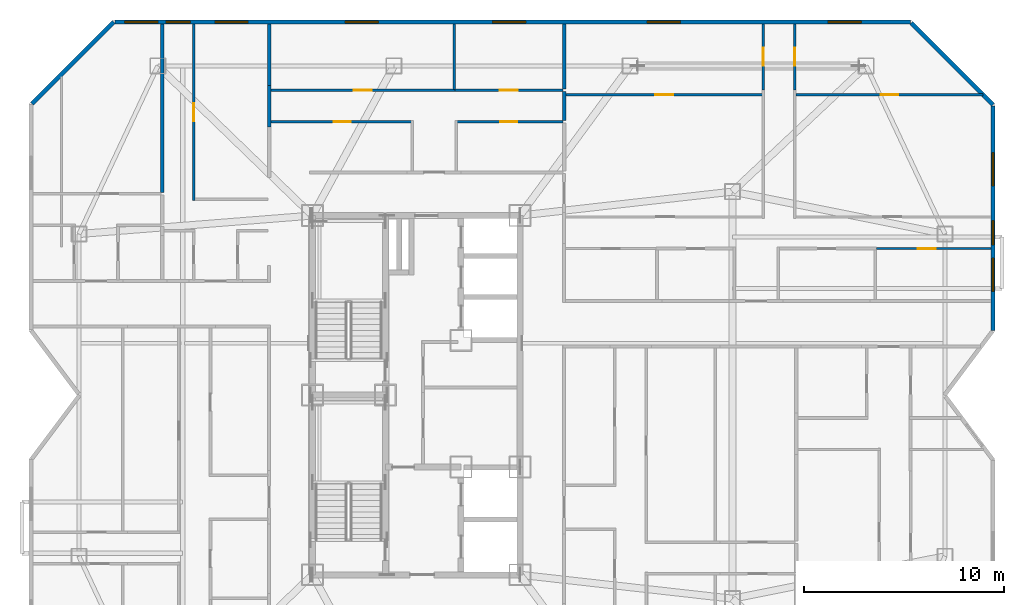
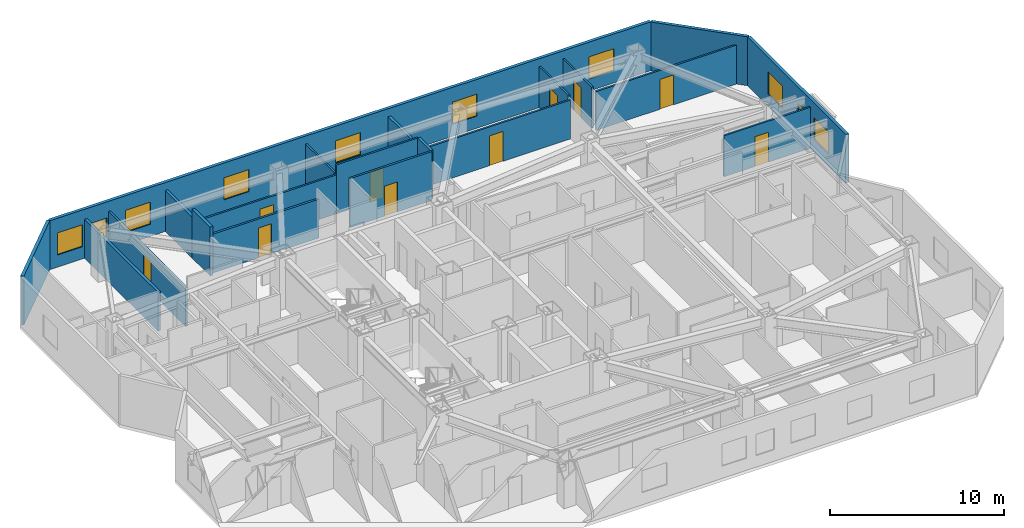
# One storey, part 10 of 12: 20 walls, 10 doors, 10 windows, 20 openings.
"""IFC4 building model written with IfcOpenShell, lengths in metres."""

from ifc_helpers import new_model, si_unit, direction, frame, frame_2d, origin, place, context, subcontext, project, spatial, rectangle, extrude, material, layer, layer_set, type_object, element, fill, save


model = new_model("IFC4")

# Units and contexts
model_context = context("Model", 3, precision=1e-05, world=origin(), true_north=direction((0.0, 1.0)))
body_context = subcontext(model_context, "Body", "Model", "MODEL_VIEW")
ifc_project = project(units=[si_unit("LENGTHUNIT", "METRE"), si_unit("AREAUNIT", "SQUARE_METRE"), si_unit("VOLUMEUNIT", "CUBIC_METRE"), si_unit("PLANEANGLEUNIT", "RADIAN"), si_unit("MASSUNIT", "GRAM", prefix="KILO")], contexts=[model_context])

# Site, building, storey
site_placement = place(None, origin())
site = spatial("IfcSite", under=ifc_project, at=site_placement, CompositionType="ELEMENT")
building_placement = place(site_placement, origin())
building = spatial("IfcBuilding", under=site, at=building_placement, Name="Khamvora Tower", CompositionType="ELEMENT")
storey_placement = place(building_placement, frame((0.0, 0.0, 199.699951171875)))
storey = spatial("IfcBuildingStorey", under=building, at=storey_placement, Name="L51", CompositionType="ELEMENT", Elevation=199.699951171875)

# Walls
ifc_material_1 = material(Name="Acoustic Double-Stud Fire Wall", Category="gypsum")
ifc_layer_1 = layer(ifc_material_1, 0.179931640625)
ifc_layer_set_1 = layer_set([ifc_layer_1], Name="Acoustic Double-Stud Fire Wall")
wall_type_1 = type_object("IfcWallType", Name="WAL-CORR-180", PredefinedType="STANDARD", material=ifc_layer_set_1)
wall_1_placement = place(storey_placement, frame((21.47509765625, 46.60791015625, 0.0), z_axis=(0.0, 0.0, 1.0), x_axis=(0.0, -1.0, 0.0)))
element("IfcWall", 1, at=wall_1_placement, inside=storey, type_object=wall_type_1, Name="L51 interior partition wall 070", PredefinedType="STANDARD", context=body_context, shape_type="SweptSolid", body=[
    extrude(rectangle(XDim=8.453857421875, YDim=0.179931640625, at=frame_2d((4.22705078125, 0.0))), origin(), (0.0, 0.0, 1.0), 2.72509765625),
])
wall_2_placement = place(storey_placement, frame((26.8349609375, 43.52392578125, 0.0), z_axis=(0.0, 0.0, 1.0), x_axis=(0.0, -1.0, 0.0)))
element("IfcWall", 2, at=wall_2_placement, inside=storey, type_object=wall_type_1, Name="L51 interior partition wall 077", PredefinedType="STANDARD", context=body_context, shape_type="SweptSolid", body=[
    extrude(rectangle(XDim=2.077880859375, YDim=0.179931640625, at=frame_2d((1.0390625, 0.0))), origin(), (0.0, 0.0, 1.0), 3.429931640625),
])
wall_3_placement = place(storey_placement, frame((26.8349609375, 46.60791015625, 0.0), z_axis=(0.0, 0.0, 1.0), x_axis=(0.0, -1.0, 0.0)))
element("IfcWall", 3, at=wall_3_placement, inside=storey, type_object=wall_type_1, Name="L51 interior partition wall 079", PredefinedType="STANDARD", context=body_context, shape_type="SweptSolid", body=[
    extrude(rectangle(XDim=3.083984375, YDim=0.179931640625, at=frame_2d((1.5419921875, 0.0))), origin(), (0.0, 0.0, 1.0), 2.8759765625),
])
wall_4_placement = place(storey_placement, frame((41.614990234375, 43.2099609375, 0.0), z_axis=(0.0, 0.0, 1.0), x_axis=(0.0, -1.0, 0.0)))
element("IfcWall", 4, at=wall_4_placement, inside=storey, type_object=wall_type_1, Name="L51 interior partition wall 096", PredefinedType="STANDARD", context=body_context, shape_type="SweptSolid", body=[
    extrude(rectangle(XDim=1.449951171875, YDim=0.179931640625, at=frame_2d((0.72509765625, 0.0))), origin(), (0.0, 0.0, 1.0), 3.429931640625),
])
wall_5_placement = place(storey_placement, frame((41.614990234375, 46.60791015625, 0.0), z_axis=(0.0, 0.0, 1.0), x_axis=(0.0, -1.0, 0.0)))
element("IfcWall", 5, at=wall_5_placement, inside=storey, type_object=wall_type_1, Name="L51 interior partition wall 099", PredefinedType="STANDARD", context=body_context, shape_type="SweptSolid", body=[
    extrude(rectangle(XDim=3.267822265625, YDim=0.179931640625, at=frame_2d((1.6337890625, 0.0))), origin(), (0.0, 0.0, 1.0), 2.8759765625),
])
ifc_material_2 = material(Name="Precast concrete C40/50", Category="concrete")
ifc_layer_2 = layer(ifc_material_2, 0.199951171875)
ifc_layer_set_2 = layer_set([ifc_layer_2], Name="Precast concrete C40/50")
wall_type_2 = type_object("IfcWallType", Name="WAL-EXT-200", PredefinedType="STANDARD", material=ifc_layer_set_2)
wall_6_placement = place(storey_placement, frame((14.945068359375, 42.60400390625, 0.0), z_axis=(0.0, 0.0, 1.0), x_axis=(0.707106781187, 0.707106781187, 0.0)))
element("IfcWall", 6, at=wall_6_placement, inside=storey, type_object=wall_type_2, Name="L51 exterior facade wall 06.1", PredefinedType="STANDARD", context=body_context, shape_type="SweptSolid", body=[
    extrude(rectangle(XDim=5.79248046875, YDim=0.199951171875, at=frame_2d((2.896240234375, 0.0))), origin(), (0.0, 0.0, 1.0), 3.429931640625),
])

# Wall, openings, windows
wall_7_placement = place(storey_placement, frame((19.10205078125, 46.699951171875, 0.0), z_axis=(0.0, 0.0, 1.0), x_axis=(1.0, 0.0, 0.0)))
wall_7 = element("IfcWall", 7, at=wall_7_placement, inside=storey, type_object=wall_type_2, Name="L51 exterior facade wall 07.1", PredefinedType="STANDARD", context=body_context, shape_type="SweptSolid", body=[
    extrude(rectangle(XDim=39.85693359375, YDim=0.199951171875, at=frame_2d((19.928466796875, 0.0))), origin(), (0.0, 0.0, 1.0), 3.429931640625),
])
opening_1_placement = place(wall_7_placement, frame((0.50390625, 0.0, 0.85009765625)))
opening_1 = element("IfcOpeningElement", 8, at=opening_1_placement, cuts=wall_7, Name="Opening WN-06", PredefinedType="OPENING", context=body_context, shape_type="SweptSolid", body=[
    extrude(rectangle(XDim=1.64990234375, YDim=1.550048828125, at=frame_2d((0.824951171875, 0.77490234375))), frame((0.0, 0.10986328125, 0.0), z_axis=(0.0, -1.0, 0.0), x_axis=(1.0, 0.0, 0.0)), (0.0, 0.0, 1.0), 0.219970703125),
])
opening_2_placement = place(wall_7_placement, frame((2.56298828125, 0.0, 0.800048828125)))
opening_2 = element("IfcOpeningElement", 9, at=opening_2_placement, cuts=wall_7, Name="Opening WN-03", PredefinedType="OPENING", context=body_context, shape_type="SweptSolid", body=[
    extrude(rectangle(XDim=1.199951171875, YDim=1.5, at=frame_2d((0.60009765625, 0.75))), frame((0.0, 0.10986328125, 0.0), z_axis=(0.0, -1.0, 0.0), x_axis=(1.0, 0.0, 0.0)), (0.0, 0.0, 1.0), 0.219970703125),
])
opening_3_placement = place(wall_7_placement, frame((5.01806640625, 0.0, 0.85009765625)))
opening_3 = element("IfcOpeningElement", 10, at=opening_3_placement, cuts=wall_7, Name="Opening WN-06", PredefinedType="OPENING", context=body_context, shape_type="SweptSolid", body=[
    extrude(rectangle(XDim=1.64990234375, YDim=1.550048828125, at=frame_2d((0.824951171875, 0.77490234375))), frame((0.0, 0.10986328125, 0.0), z_axis=(0.0, -1.0, 0.0), x_axis=(1.0, 0.0, 0.0)), (0.0, 0.0, 1.0), 0.219970703125),
])
opening_4_placement = place(wall_7_placement, frame((11.5419921875, 0.0, 0.85009765625)))
opening_4 = element("IfcOpeningElement", 11, at=opening_4_placement, cuts=wall_7, Name="Opening WN-06", PredefinedType="OPENING", context=body_context, shape_type="SweptSolid", body=[
    extrude(rectangle(XDim=1.64990234375, YDim=1.550048828125, at=frame_2d((0.824951171875, 0.77490234375))), frame((0.0, 0.10986328125, 0.0), z_axis=(0.0, -1.0, 0.0), x_axis=(1.0, 0.0, 0.0)), (0.0, 0.0, 1.0), 0.219970703125),
])
opening_5_placement = place(wall_7_placement, frame((18.931884765625, 0.0, 0.85009765625)))
opening_5 = element("IfcOpeningElement", 12, at=opening_5_placement, cuts=wall_7, Name="Opening WN-06", PredefinedType="OPENING", context=body_context, shape_type="SweptSolid", body=[
    extrude(rectangle(XDim=1.64990234375, YDim=1.550048828125, at=frame_2d((0.824951171875, 0.77490234375))), frame((0.0, 0.10986328125, 0.0), z_axis=(0.0, -1.0, 0.0), x_axis=(1.0, 0.0, 0.0)), (0.0, 0.0, 1.0), 0.219970703125),
])
opening_6_placement = place(wall_7_placement, frame((26.679931640625, 0.0, 0.85009765625)))
opening_6 = element("IfcOpeningElement", 13, at=opening_6_placement, cuts=wall_7, Name="Opening WN-06", PredefinedType="OPENING", context=body_context, shape_type="SweptSolid", body=[
    extrude(rectangle(XDim=1.64990234375, YDim=1.550048828125, at=frame_2d((0.824951171875, 0.77490234375))), frame((0.0, 0.10986328125, 0.0), z_axis=(0.0, -1.0, 0.0), x_axis=(1.0, 0.0, 0.0)), (0.0, 0.0, 1.0), 0.219970703125),
])
opening_7_placement = place(wall_7_placement, frame((35.7451171875, 0.0, 0.85009765625)))
opening_7 = element("IfcOpeningElement", 14, at=opening_7_placement, cuts=wall_7, Name="Opening WN-06", PredefinedType="OPENING", context=body_context, shape_type="SweptSolid", body=[
    extrude(rectangle(XDim=1.64990234375, YDim=1.550048828125, at=frame_2d((0.824951171875, 0.77490234375))), frame((0.0, 0.10986328125, 0.0), z_axis=(0.0, -1.0, 0.0), x_axis=(1.0, 0.0, 0.0)), (0.0, 0.0, 1.0), 0.219970703125),
])
ifc_material_3 = material(Name="Low-E Laminated Double Glazing", Category="glass")
window_type_1 = type_object("IfcWindowType", Name="WIN-VIS-1200x1500", PartitioningType="SINGLE_PANEL", PredefinedType="WINDOW", material=ifc_material_3)
window_1_placement = place(opening_2_placement, origin())
window_1 = element("IfcWindow", 15, at=window_1_placement, inside=storey, type_object=window_type_1, Name="L51 vision window 07.1.02", OverallHeight=1.5, OverallWidth=1.199951171875, PartitioningType="SINGLE_PANEL", PredefinedType="WINDOW", context=body_context, shape_type="SweptSolid", body=[
    extrude(rectangle(XDim=1.199951171875, YDim=1.5, at=frame_2d((0.60009765625, 0.75))), frame((0.0, 0.030029296875, 0.0), z_axis=(0.0, -1.0, 0.0), x_axis=(1.0, 0.0, 0.0)), (0.0, 0.0, 1.0), 0.06005859375),
])
fill(opening_2, window_1)
window_type_2 = type_object("IfcWindowType", Name="WIN-VIS-1650x1550", PartitioningType="SINGLE_PANEL", PredefinedType="WINDOW", material=ifc_material_3)
window_2_placement = place(opening_1_placement, origin())
window_2 = element("IfcWindow", 16, at=window_2_placement, inside=storey, type_object=window_type_2, Name="L51 vision window 07.1.01", OverallHeight=1.550048828125, OverallWidth=1.64990234375, PartitioningType="SINGLE_PANEL", PredefinedType="WINDOW", context=body_context, shape_type="SweptSolid", body=[
    extrude(rectangle(XDim=1.64990234375, YDim=1.550048828125, at=frame_2d((0.824951171875, 0.77490234375))), frame((0.0, 0.030029296875, 0.0), z_axis=(0.0, -1.0, 0.0), x_axis=(1.0, 0.0, 0.0)), (0.0, 0.0, 1.0), 0.06005859375),
])
fill(opening_1, window_2)
window_3_placement = place(opening_3_placement, origin())
window_3 = element("IfcWindow", 17, at=window_3_placement, inside=storey, type_object=window_type_2, Name="L51 vision window 07.1.03", OverallHeight=1.550048828125, OverallWidth=1.64990234375, PartitioningType="SINGLE_PANEL", PredefinedType="WINDOW", context=body_context, shape_type="SweptSolid", body=[
    extrude(rectangle(XDim=1.64990234375, YDim=1.550048828125, at=frame_2d((0.824951171875, 0.77490234375))), frame((0.0, 0.030029296875, 0.0), z_axis=(0.0, -1.0, 0.0), x_axis=(1.0, 0.0, 0.0)), (0.0, 0.0, 1.0), 0.06005859375),
])
fill(opening_3, window_3)
window_4_placement = place(opening_4_placement, origin())
window_4 = element("IfcWindow", 18, at=window_4_placement, inside=storey, type_object=window_type_2, Name="L51 vision window 07.1.04", OverallHeight=1.550048828125, OverallWidth=1.64990234375, PartitioningType="SINGLE_PANEL", PredefinedType="WINDOW", context=body_context, shape_type="SweptSolid", body=[
    extrude(rectangle(XDim=1.64990234375, YDim=1.550048828125, at=frame_2d((0.824951171875, 0.77490234375))), frame((0.0, 0.030029296875, 0.0), z_axis=(0.0, -1.0, 0.0), x_axis=(1.0, 0.0, 0.0)), (0.0, 0.0, 1.0), 0.06005859375),
])
fill(opening_4, window_4)
window_5_placement = place(opening_5_placement, origin())
window_5 = element("IfcWindow", 19, at=window_5_placement, inside=storey, type_object=window_type_2, Name="L51 vision window 07.1.05", OverallHeight=1.550048828125, OverallWidth=1.64990234375, PartitioningType="SINGLE_PANEL", PredefinedType="WINDOW", context=body_context, shape_type="SweptSolid", body=[
    extrude(rectangle(XDim=1.64990234375, YDim=1.550048828125, at=frame_2d((0.824951171875, 0.77490234375))), frame((0.0, 0.030029296875, 0.0), z_axis=(0.0, -1.0, 0.0), x_axis=(1.0, 0.0, 0.0)), (0.0, 0.0, 1.0), 0.06005859375),
])
fill(opening_5, window_5)
window_6_placement = place(opening_6_placement, origin())
window_6 = element("IfcWindow", 20, at=window_6_placement, inside=storey, type_object=window_type_2, Name="L51 vision window 07.1.06", OverallHeight=1.550048828125, OverallWidth=1.64990234375, PartitioningType="SINGLE_PANEL", PredefinedType="WINDOW", context=body_context, shape_type="SweptSolid", body=[
    extrude(rectangle(XDim=1.64990234375, YDim=1.550048828125, at=frame_2d((0.824951171875, 0.77490234375))), frame((0.0, 0.030029296875, 0.0), z_axis=(0.0, -1.0, 0.0), x_axis=(1.0, 0.0, 0.0)), (0.0, 0.0, 1.0), 0.06005859375),
])
fill(opening_6, window_6)
window_7_placement = place(opening_7_placement, origin())
window_7 = element("IfcWindow", 21, at=window_7_placement, inside=storey, type_object=window_type_2, Name="L51 vision window 07.1.07", OverallHeight=1.550048828125, OverallWidth=1.64990234375, PartitioningType="SINGLE_PANEL", PredefinedType="WINDOW", context=body_context, shape_type="SweptSolid", body=[
    extrude(rectangle(XDim=1.64990234375, YDim=1.550048828125, at=frame_2d((0.824951171875, 0.77490234375))), frame((0.0, 0.030029296875, 0.0), z_axis=(0.0, -1.0, 0.0), x_axis=(1.0, 0.0, 0.0)), (0.0, 0.0, 1.0), 0.06005859375),
])
fill(opening_7, window_7)

# Wall
wall_8_placement = place(storey_placement, frame((59.0029296875, 46.656005859375, 0.0), z_axis=(0.0, 0.0, 1.0), x_axis=(0.707127848917, -0.707085712828, 0.0)))
element("IfcWall", 22, at=wall_8_placement, inside=storey, type_object=wall_type_2, Name="L51 exterior facade wall 08.1", PredefinedType="STANDARD", context=body_context, shape_type="SweptSolid", body=[
    extrude(rectangle(XDim=5.794189453125, YDim=0.199951171875, at=frame_2d((2.89697265625, 0.0))), origin(), (0.0, 0.0, 1.0), 3.429931640625),
])

# Wall, openings, windows
wall_9_placement = place(storey_placement, frame((63.10009765625, 42.49609375, 0.0), z_axis=(0.0, 0.0, 1.0), x_axis=(0.0, -1.0, 0.0)))
wall_9 = element("IfcWall", 23, at=wall_9_placement, inside=storey, type_object=wall_type_2, Name="L51 exterior facade wall 09.1", PredefinedType="STANDARD", context=body_context, shape_type="SweptSolid", body=[
    extrude(rectangle(XDim=11.26318359375, YDim=0.199951171875, at=frame_2d((5.631591796875, 0.0))), origin(), (0.0, 0.0, 1.0), 3.429931640625),
])
opening_8_placement = place(wall_9_placement, frame((7.638916015625, 0.0, 0.85009765625)))
opening_8 = element("IfcOpeningElement", 24, at=opening_8_placement, cuts=wall_9, Name="Opening WN-06", PredefinedType="OPENING", context=body_context, shape_type="SweptSolid", body=[
    extrude(rectangle(XDim=1.64990234375, YDim=1.550048828125, at=frame_2d((0.824951171875, 0.77490234375))), frame((0.0, 0.10986328125, 0.0), z_axis=(0.0, -1.0, 0.0), x_axis=(1.0, 0.0, 0.0)), (0.0, 0.0, 1.0), 0.219970703125),
])
opening_9_placement = place(wall_9_placement, frame((5.757080078125, 0.0, 0.800048828125)))
opening_9 = element("IfcOpeningElement", 25, at=opening_9_placement, cuts=wall_9, Name="Opening WN-03", PredefinedType="OPENING", context=body_context, shape_type="SweptSolid", body=[
    extrude(rectangle(XDim=1.199951171875, YDim=1.5, at=frame_2d((0.60009765625, 0.75))), frame((0.0, 0.10986328125, 0.0), z_axis=(0.0, -1.0, 0.0), x_axis=(1.0, 0.0, 0.0)), (0.0, 0.0, 1.0), 0.219970703125),
])
opening_10_placement = place(wall_9_placement, frame((2.35107421875, 0.0, 0.85009765625)))
opening_10 = element("IfcOpeningElement", 26, at=opening_10_placement, cuts=wall_9, Name="Opening WN-06", PredefinedType="OPENING", context=body_context, shape_type="SweptSolid", body=[
    extrude(rectangle(XDim=1.64990234375, YDim=1.550048828125, at=frame_2d((0.824951171875, 0.77490234375))), frame((0.0, 0.10986328125, 0.0), z_axis=(0.0, -1.0, 0.0), x_axis=(1.0, 0.0, 0.0)), (0.0, 0.0, 1.0), 0.219970703125),
])
window_8_placement = place(opening_9_placement, origin())
window_8 = element("IfcWindow", 27, at=window_8_placement, inside=storey, type_object=window_type_1, Name="L51 vision window 09.1.02", OverallHeight=1.5, OverallWidth=1.199951171875, PartitioningType="SINGLE_PANEL", PredefinedType="WINDOW", context=body_context, shape_type="SweptSolid", body=[
    extrude(rectangle(XDim=1.199951171875, YDim=1.5, at=frame_2d((0.60009765625, 0.75))), frame((0.0, 0.030029296875, 0.0), z_axis=(0.0, -1.0, 0.0), x_axis=(1.0, 0.0, 0.0)), (0.0, 0.0, 1.0), 0.06005859375),
])
fill(opening_9, window_8)
window_9_placement = place(opening_8_placement, origin())
window_9 = element("IfcWindow", 28, at=window_9_placement, inside=storey, type_object=window_type_2, Name="L51 vision window 09.1.01", OverallHeight=1.550048828125, OverallWidth=1.64990234375, PartitioningType="SINGLE_PANEL", PredefinedType="WINDOW", context=body_context, shape_type="SweptSolid", body=[
    extrude(rectangle(XDim=1.64990234375, YDim=1.550048828125, at=frame_2d((0.824951171875, 0.77490234375))), frame((0.0, 0.030029296875, 0.0), z_axis=(0.0, -1.0, 0.0), x_axis=(1.0, 0.0, 0.0)), (0.0, 0.0, 1.0), 0.06005859375),
])
fill(opening_8, window_9)
window_10_placement = place(opening_10_placement, origin())
window_10 = element("IfcWindow", 29, at=window_10_placement, inside=storey, type_object=window_type_2, Name="L51 vision window 09.1.03", OverallHeight=1.550048828125, OverallWidth=1.64990234375, PartitioningType="SINGLE_PANEL", PredefinedType="WINDOW", context=body_context, shape_type="SweptSolid", body=[
    extrude(rectangle(XDim=1.64990234375, YDim=1.550048828125, at=frame_2d((0.824951171875, 0.77490234375))), frame((0.0, 0.030029296875, 0.0), z_axis=(0.0, -1.0, 0.0), x_axis=(1.0, 0.0, 0.0)), (0.0, 0.0, 1.0), 0.06005859375),
])
fill(opening_10, window_10)

# Wall, opening, door
ifc_material_4 = material(Name="Gypsum Plasterboard Partition", Category="gypsum")
ifc_layer_3 = layer(ifc_material_4, 0.1201171875)
ifc_layer_set_3 = layer_set([ifc_layer_3], Name="Gypsum Plasterboard Partition")
wall_type_3 = type_object("IfcWallType", Name="WAL-PART-120", PredefinedType="PARTITIONING", material=ifc_layer_set_3)
wall_10_placement = place(storey_placement, frame((23.054931640625, 46.60791015625, 0.0), z_axis=(0.0, 0.0, 1.0), x_axis=(0.0, -1.0, 0.0)))
wall_10 = element("IfcWall", 30, at=wall_10_placement, inside=storey, type_object=wall_type_3, Name="L51 interior partition wall 075", PredefinedType="PARTITIONING", context=body_context, shape_type="SweptSolid", body=[
    extrude(rectangle(XDim=8.847900390625, YDim=0.1201171875, at=frame_2d((4.423828125, 0.0))), origin(), (0.0, 0.0, 1.0), 2.72509765625),
])
opening_11_placement = place(wall_10_placement, frame((3.97412109375, 0.0, 0.0)))
opening_11 = element("IfcOpeningElement", 31, at=opening_11_placement, cuts=wall_10, Name="Opening D-RM1", PredefinedType="OPENING", context=body_context, shape_type="SweptSolid", body=[
    extrude(rectangle(XDim=0.89990234375, YDim=2.10009765625, at=frame_2d((0.449951171875, 1.050048828125))), frame((0.0, 0.070068359375, 0.0), z_axis=(0.0, -1.0, 0.0), x_axis=(1.0, 0.0, 0.0)), (0.0, 0.0, 1.0), 0.14013671875),
])
ifc_material_5 = material(Name="Powder-Coated Steel and Hardwood Leaf", Category="steel")
door_type_1 = type_object("IfcDoorType", Name="DOR-ROOM-900", OperationType="NOTDEFINED", PredefinedType="DOOR", material=ifc_material_5)
door_1_placement = place(opening_11_placement, origin())
door_1 = element("IfcDoor", 32, at=door_1_placement, inside=storey, type_object=door_type_1, Name="L51 interior door 51WCH-51WCR1", OperationType="SINGLE_SWING_LEFT", OverallHeight=2.10009765625, OverallWidth=0.89990234375, PredefinedType="DOOR", context=body_context, shape_type="SweptSolid", body=[
    extrude(rectangle(XDim=0.89990234375, YDim=2.10009765625, at=frame_2d((0.449951171875, 1.050048828125))), frame((0.0, 0.02490234375, 0.0), z_axis=(0.0, -1.0, 0.0), x_axis=(1.0, 0.0, 0.0)), (0.0, 0.0, 1.0), 0.050048828125),
])
fill(opening_11, door_1)

wall_11_placement = place(storey_placement, frame((26.9169921875, 43.27490234375, 0.0), z_axis=(0.0, 0.0, 1.0), x_axis=(1.0, 0.0, 0.0)))
wall_11 = element("IfcWall", 33, at=wall_11_placement, inside=storey, type_object=wall_type_3, Name="L51 interior partition wall 094", PredefinedType="PARTITIONING", context=body_context, shape_type="SweptSolid", body=[
    extrude(rectangle(XDim=9.217041015625, YDim=0.1201171875, at=frame_2d((4.6083984375, 0.0))), origin(), (0.0, 0.0, 1.0), 2.72509765625),
])
opening_12_placement = place(wall_11_placement, frame((4.158935546875, 0.0, 0.0)))
opening_12 = element("IfcOpeningElement", 34, at=opening_12_placement, cuts=wall_11, Name="Opening D-RM1", PredefinedType="OPENING", context=body_context, shape_type="SweptSolid", body=[
    extrude(rectangle(XDim=0.89990234375, YDim=2.10009765625, at=frame_2d((0.449951171875, 1.050048828125))), frame((0.0, 0.070068359375, 0.0), z_axis=(0.0, -1.0, 0.0), x_axis=(1.0, 0.0, 0.0)), (0.0, 0.0, 1.0), 0.14013671875),
])
door_2_placement = place(opening_12_placement, origin())
door_2 = element("IfcDoor", 35, at=door_2_placement, inside=storey, type_object=door_type_1, Name="L51 interior door 51NAH-51NAL", OperationType="SINGLE_SWING_RIGHT", OverallHeight=2.10009765625, OverallWidth=0.89990234375, PredefinedType="DOOR", context=body_context, shape_type="SweptSolid", body=[
    extrude(rectangle(XDim=0.89990234375, YDim=2.10009765625, at=frame_2d((0.449951171875, 1.050048828125))), frame((0.0, 0.02490234375, 0.0), z_axis=(0.0, -1.0, 0.0), x_axis=(1.0, 0.0, 0.0)), (0.0, 0.0, 1.0), 0.050048828125),
])
fill(opening_12, door_2)

wall_12_placement = place(storey_placement, frame((36.134033203125, 43.27490234375, 0.0), z_axis=(0.0, 0.0, 1.0), x_axis=(1.0, 0.0, 0.0)))
wall_12 = element("IfcWall", 36, at=wall_12_placement, inside=storey, type_object=wall_type_3, Name="L51 interior partition wall 095", PredefinedType="PARTITIONING", context=body_context, shape_type="SweptSolid", body=[
    extrude(rectangle(XDim=5.416015625, YDim=0.1201171875, at=frame_2d((2.7080078125, 0.0))), origin(), (0.0, 0.0, 1.0), 3.429931640625),
])
opening_13_placement = place(wall_12_placement, frame((2.258056640625, 0.0, 0.0)))
opening_13 = element("IfcOpeningElement", 37, at=opening_13_placement, cuts=wall_12, Name="Opening D-RM1", PredefinedType="OPENING", context=body_context, shape_type="SweptSolid", body=[
    extrude(rectangle(XDim=0.89990234375, YDim=2.10009765625, at=frame_2d((0.449951171875, 1.050048828125))), frame((0.0, 0.070068359375, 0.0), z_axis=(0.0, -1.0, 0.0), x_axis=(1.0, 0.0, 0.0)), (0.0, 0.0, 1.0), 0.14013671875),
])
door_3_placement = place(opening_13_placement, origin())
door_3 = element("IfcDoor", 38, at=door_3_placement, inside=storey, type_object=door_type_1, Name="L51 interior door 51NAH-51NAR2", OperationType="SINGLE_SWING_LEFT", OverallHeight=2.10009765625, OverallWidth=0.89990234375, PredefinedType="DOOR", context=body_context, shape_type="SweptSolid", body=[
    extrude(rectangle(XDim=0.89990234375, YDim=2.10009765625, at=frame_2d((0.449951171875, 1.050048828125))), frame((0.0, 0.02490234375, 0.0), z_axis=(0.0, -1.0, 0.0), x_axis=(1.0, 0.0, 0.0)), (0.0, 0.0, 1.0), 0.050048828125),
])
fill(opening_13, door_3)

# Wall
wall_13_placement = place(storey_placement, frame((36.10400390625, 46.60791015625, 0.0), z_axis=(0.0, 0.0, 1.0), x_axis=(0.0, -1.0, 0.0)))
element("IfcWall", 39, at=wall_13_placement, inside=storey, type_object=wall_type_3, Name="L51 interior partition wall 098", PredefinedType="PARTITIONING", context=body_context, shape_type="SweptSolid", body=[
    extrude(rectangle(XDim=3.27880859375, YDim=0.1201171875, at=frame_2d((1.639404296875, 0.0))), origin(), (0.0, 0.0, 1.0), 2.8759765625),
])

# Wall, opening, door
wall_14_placement = place(storey_placement, frame((57.264892578125, 35.34912109375, 0.0), z_axis=(0.0, 0.0, 1.0), x_axis=(1.0, 0.0, 0.0)))
wall_14 = element("IfcWall", 40, at=wall_14_placement, inside=storey, type_object=wall_type_3, Name="L51 interior partition wall 134", PredefinedType="PARTITIONING", context=body_context, shape_type="SweptSolid", body=[
    extrude(rectangle(XDim=5.7431640625, YDim=0.1201171875, at=frame_2d((2.87158203125, 0.0))), origin(), (0.0, 0.0, 1.0), 2.8759765625),
])
opening_14_placement = place(wall_14_placement, frame((2.05908203125, 0.0, 0.0)))
opening_14 = element("IfcOpeningElement", 41, at=opening_14_placement, cuts=wall_14, Name="Opening D-RM1", PredefinedType="OPENING", context=body_context, shape_type="SweptSolid", body=[
    extrude(rectangle(XDim=0.89990234375, YDim=2.10009765625, at=frame_2d((0.449951171875, 1.050048828125))), frame((0.0, 0.070068359375, 0.0), z_axis=(0.0, -1.0, 0.0), x_axis=(1.0, 0.0, 0.0)), (0.0, 0.0, 1.0), 0.14013671875),
])
door_4_placement = place(opening_14_placement, origin())
door_4 = element("IfcDoor", 42, at=door_4_placement, inside=storey, type_object=door_type_1, Name="L51 interior door 51EBW2-51EBH", OperationType="SINGLE_SWING_LEFT", OverallHeight=2.10009765625, OverallWidth=0.89990234375, PredefinedType="DOOR", context=body_context, shape_type="SweptSolid", body=[
    extrude(rectangle(XDim=0.89990234375, YDim=2.10009765625, at=frame_2d((0.449951171875, 1.050048828125))), frame((0.0, 0.02490234375, 0.0), z_axis=(0.0, -1.0, 0.0), x_axis=(1.0, 0.0, 0.0)), (0.0, 0.0, 1.0), 0.050048828125),
])
fill(opening_14, door_4)

wall_15_placement = place(storey_placement, frame((51.60009765625, 43.2939453125, 0.0), z_axis=(0.0, 0.0, 1.0), x_axis=(0.0, 1.0, 0.0)))
wall_15 = element("IfcWall", 43, at=wall_15_placement, inside=storey, type_object=wall_type_3, Name="L51 interior partition wall 142", PredefinedType="PARTITIONING", context=body_context, shape_type="SweptSolid", body=[
    extrude(rectangle(XDim=3.31396484375, YDim=0.1201171875, at=frame_2d((1.656982421875, 0.0))), origin(), (0.0, 0.0, 1.0), 2.8759765625),
])
opening_15_placement = place(wall_15_placement, frame((1.20703125, 0.0, 0.0)))
opening_15 = element("IfcOpeningElement", 44, at=opening_15_placement, cuts=wall_15, Name="Opening D-RM1", PredefinedType="OPENING", context=body_context, shape_type="SweptSolid", body=[
    extrude(rectangle(XDim=0.89990234375, YDim=2.10009765625, at=frame_2d((0.449951171875, 1.050048828125))), frame((0.0, 0.070068359375, 0.0), z_axis=(0.0, -1.0, 0.0), x_axis=(1.0, 0.0, 0.0)), (0.0, 0.0, 1.0), 0.14013671875),
])
door_5_placement = place(opening_15_placement, origin())
door_5 = element("IfcDoor", 45, at=door_5_placement, inside=storey, type_object=door_type_1, Name="L51 interior door 51EBH-51EBR2", OperationType="SINGLE_SWING_LEFT", OverallHeight=2.10009765625, OverallWidth=0.89990234375, PredefinedType="DOOR", context=body_context, shape_type="SweptSolid", body=[
    extrude(rectangle(XDim=0.89990234375, YDim=2.10009765625, at=frame_2d((0.449951171875, 1.050048828125))), frame((0.0, 0.02490234375, 0.0), z_axis=(0.0, -1.0, 0.0), x_axis=(1.0, 0.0, 0.0)), (0.0, 0.0, 1.0), 0.050048828125),
])
fill(opening_15, door_5)

wall_16_placement = place(storey_placement, frame((53.169921875, 46.60791015625, 0.0), z_axis=(0.0, 0.0, 1.0), x_axis=(0.0, -1.0, 0.0)))
wall_16 = element("IfcWall", 46, at=wall_16_placement, inside=storey, type_object=wall_type_3, Name="L51 interior partition wall 145", PredefinedType="PARTITIONING", context=body_context, shape_type="SweptSolid", body=[
    extrude(rectangle(XDim=3.31396484375, YDim=0.1201171875, at=frame_2d((1.656982421875, 0.0))), origin(), (0.0, 0.0, 1.0), 2.8759765625),
])
opening_16_placement = place(wall_16_placement, frame((1.20703125, 0.0, 0.0)))
opening_16 = element("IfcOpeningElement", 47, at=opening_16_placement, cuts=wall_16, Name="Opening D-RM1", PredefinedType="OPENING", context=body_context, shape_type="SweptSolid", body=[
    extrude(rectangle(XDim=0.89990234375, YDim=2.10009765625, at=frame_2d((0.449951171875, 1.050048828125))), frame((0.0, 0.070068359375, 0.0), z_axis=(0.0, -1.0, 0.0), x_axis=(1.0, 0.0, 0.0)), (0.0, 0.0, 1.0), 0.14013671875),
])
door_6_placement = place(opening_16_placement, origin())
door_6 = element("IfcDoor", 48, at=door_6_placement, inside=storey, type_object=door_type_1, Name="L51 interior door 51EBH-51EBR4", OperationType="SINGLE_SWING_LEFT", OverallHeight=2.10009765625, OverallWidth=0.89990234375, PredefinedType="DOOR", context=body_context, shape_type="SweptSolid", body=[
    extrude(rectangle(XDim=0.89990234375, YDim=2.10009765625, at=frame_2d((0.449951171875, 1.050048828125))), frame((0.0, 0.02490234375, 0.0), z_axis=(0.0, -1.0, 0.0), x_axis=(1.0, 0.0, 0.0)), (0.0, 0.0, 1.0), 0.050048828125),
])
fill(opening_16, door_6)

wall_17_placement = place(storey_placement, frame((41.697021484375, 43.044921875, 0.0), z_axis=(0.0, 0.0, 1.0), x_axis=(1.0, 0.0, 0.0)))
wall_17 = element("IfcWall", 49, at=wall_17_placement, inside=storey, type_object=wall_type_3, Name="L51 interior partition wall 146", PredefinedType="PARTITIONING", context=body_context, shape_type="SweptSolid", body=[
    extrude(rectangle(XDim=9.848876953125, YDim=0.1201171875, at=frame_2d((4.92431640625, 0.0))), origin(), (0.0, 0.0, 1.0), 2.72509765625),
])
opening_17_placement = place(wall_17_placement, frame((4.47412109375, 0.0, 0.0)))
opening_17 = element("IfcOpeningElement", 50, at=opening_17_placement, cuts=wall_17, Name="Opening D-RM1", PredefinedType="OPENING", context=body_context, shape_type="SweptSolid", body=[
    extrude(rectangle(XDim=0.89990234375, YDim=2.10009765625, at=frame_2d((0.449951171875, 1.050048828125))), frame((0.0, 0.070068359375, 0.0), z_axis=(0.0, -1.0, 0.0), x_axis=(1.0, 0.0, 0.0)), (0.0, 0.0, 1.0), 0.14013671875),
])
door_7_placement = place(opening_17_placement, origin())
door_7 = element("IfcDoor", 51, at=door_7_placement, inside=storey, type_object=door_type_1, Name="L51 interior door 51EBR1-51EBR2", OperationType="SINGLE_SWING_RIGHT", OverallHeight=2.10009765625, OverallWidth=0.89990234375, PredefinedType="DOOR", context=body_context, shape_type="SweptSolid", body=[
    extrude(rectangle(XDim=0.89990234375, YDim=2.10009765625, at=frame_2d((0.449951171875, 1.050048828125))), frame((0.0, 0.02490234375, 0.0), z_axis=(0.0, -1.0, 0.0), x_axis=(1.0, 0.0, 0.0)), (0.0, 0.0, 1.0), 0.050048828125),
])
fill(opening_17, door_7)

wall_18_placement = place(storey_placement, frame((53.22412109375, 43.044921875, 0.0), z_axis=(0.0, 0.0, 1.0), x_axis=(1.0, 0.0, 0.0)))
wall_18 = element("IfcWall", 52, at=wall_18_placement, inside=storey, type_object=wall_type_3, Name="L51 interior partition wall 147", PredefinedType="PARTITIONING", context=body_context, shape_type="SweptSolid", body=[
    extrude(rectangle(XDim=9.384765625, YDim=0.1201171875, at=frame_2d((4.6923828125, 0.0))), origin(), (0.0, 0.0, 1.0), 2.72509765625),
])
opening_18_placement = place(wall_18_placement, frame((4.241943359375, 0.0, 0.0)))
opening_18 = element("IfcOpeningElement", 53, at=opening_18_placement, cuts=wall_18, Name="Opening D-RM1", PredefinedType="OPENING", context=body_context, shape_type="SweptSolid", body=[
    extrude(rectangle(XDim=0.89990234375, YDim=2.10009765625, at=frame_2d((0.449951171875, 1.050048828125))), frame((0.0, 0.070068359375, 0.0), z_axis=(0.0, -1.0, 0.0), x_axis=(1.0, 0.0, 0.0)), (0.0, 0.0, 1.0), 0.14013671875),
])
door_8_placement = place(opening_18_placement, origin())
door_8 = element("IfcDoor", 54, at=door_8_placement, inside=storey, type_object=door_type_1, Name="L51 interior door 51EBR3-51EBR4", OperationType="SINGLE_SWING_LEFT", OverallHeight=2.10009765625, OverallWidth=0.89990234375, PredefinedType="DOOR", context=body_context, shape_type="SweptSolid", body=[
    extrude(rectangle(XDim=0.89990234375, YDim=2.10009765625, at=frame_2d((0.449951171875, 1.050048828125))), frame((0.0, 0.02490234375, 0.0), z_axis=(0.0, -1.0, 0.0), x_axis=(1.0, 0.0, 0.0)), (0.0, 0.0, 1.0), 0.050048828125),
])
fill(opening_18, door_8)

ifc_material_6 = material(Name="Moisture-Resistant Plasterboard Partition", Category="gypsum")
ifc_layer_4 = layer(ifc_material_6, 0.135009765625)
ifc_layer_set_4 = layer_set([ifc_layer_4], Name="Moisture-Resistant Plasterboard Partition")
wall_type_4 = type_object("IfcWallType", Name="WAL-WET-135", PredefinedType="PARTITIONING", material=ifc_layer_set_4)
wall_19_placement = place(storey_placement, frame((41.550048828125, 41.695068359375, 0.0), z_axis=(0.0, 0.0, 1.0), x_axis=(-1.0, 0.0, 0.0)))
wall_19 = element("IfcWall", 55, at=wall_19_placement, inside=storey, type_object=wall_type_4, Name="L51 interior partition wall 090", PredefinedType="PARTITIONING", context=body_context, shape_type="SweptSolid", body=[
    extrude(rectangle(XDim=5.416015625, YDim=0.135009765625, at=frame_2d((2.7080078125, 0.0))), origin(), (0.0, 0.0, 1.0), 3.429931640625),
])
opening_19_placement = place(wall_19_placement, frame((2.282958984375, 0.0, 0.0)))
opening_19 = element("IfcOpeningElement", 56, at=opening_19_placement, cuts=wall_19, Name="Opening D-WC1", PredefinedType="OPENING", context=body_context, shape_type="SweptSolid", body=[
    extrude(rectangle(XDim=0.85009765625, YDim=2.10009765625, at=frame_2d((0.425048828125, 1.050048828125))), frame((0.0, 0.077392578125, 0.0), z_axis=(0.0, -1.0, 0.0), x_axis=(1.0, 0.0, 0.0)), (0.0, 0.0, 1.0), 0.155029296875),
])
door_type_2 = type_object("IfcDoorType", Name="DOR-WET-850", OperationType="NOTDEFINED", PredefinedType="DOOR", material=ifc_material_5)
door_9_placement = place(opening_19_placement, origin())
door_9 = element("IfcDoor", 57, at=door_9_placement, inside=storey, type_object=door_type_2, Name="L51 interior door 51NAH-51NAB", OperationType="SINGLE_SWING_RIGHT", OverallHeight=2.10009765625, OverallWidth=0.85009765625, PredefinedType="DOOR", context=body_context, shape_type="SweptSolid", body=[
    extrude(rectangle(XDim=0.85009765625, YDim=2.10009765625, at=frame_2d((0.425048828125, 1.050048828125))), frame((0.0, 0.02490234375, 0.0), z_axis=(0.0, -1.0, 0.0), x_axis=(1.0, 0.0, 0.0)), (0.0, 0.0, 1.0), 0.050048828125),
])
fill(opening_19, door_9)

wall_20_placement = place(storey_placement, frame((34.06396484375, 41.695068359375, 0.0), z_axis=(0.0, 0.0, 1.0), x_axis=(-1.0, 0.0, 0.0)))
wall_20 = element("IfcWall", 58, at=wall_20_placement, inside=storey, type_object=wall_type_4, Name="L51 interior partition wall 093", PredefinedType="PARTITIONING", context=body_context, shape_type="SweptSolid", body=[
    extrude(rectangle(XDim=7.14697265625, YDim=0.135009765625, at=frame_2d((3.573486328125, 0.0))), origin(), (0.0, 0.0, 1.0), 2.72509765625),
])
opening_20_placement = place(wall_20_placement, frame((3.14892578125, 0.0, 0.0)))
opening_20 = element("IfcOpeningElement", 59, at=opening_20_placement, cuts=wall_20, Name="Opening D-RM2", PredefinedType="OPENING", context=body_context, shape_type="SweptSolid", body=[
    extrude(rectangle(XDim=0.85009765625, YDim=2.10009765625, at=frame_2d((0.425048828125, 1.050048828125))), frame((0.0, 0.077392578125, 0.0), z_axis=(0.0, -1.0, 0.0), x_axis=(1.0, 0.0, 0.0)), (0.0, 0.0, 1.0), 0.155029296875),
])
door_type_3 = type_object("IfcDoorType", Name="DOR-ROOM-850", OperationType="NOTDEFINED", PredefinedType="DOOR", material=ifc_material_5)
door_10_placement = place(opening_20_placement, origin())
door_10 = element("IfcDoor", 60, at=door_10_placement, inside=storey, type_object=door_type_3, Name="L51 interior door 51NAH-51NAK", OperationType="SINGLE_SWING_LEFT", OverallHeight=2.10009765625, OverallWidth=0.85009765625, PredefinedType="DOOR", context=body_context, shape_type="SweptSolid", body=[
    extrude(rectangle(XDim=0.85009765625, YDim=2.10009765625, at=frame_2d((0.425048828125, 1.050048828125))), frame((0.0, 0.02490234375, 0.0), z_axis=(0.0, -1.0, 0.0), x_axis=(1.0, 0.0, 0.0)), (0.0, 0.0, 1.0), 0.050048828125),
])
fill(opening_20, door_10)

save(model, "model.ifc")
